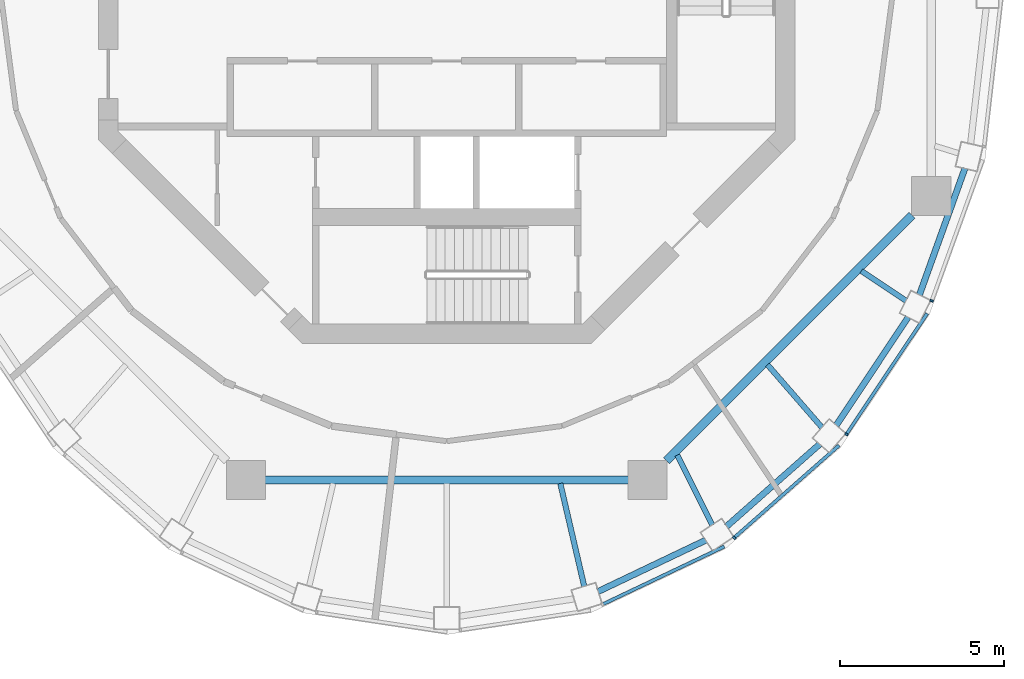
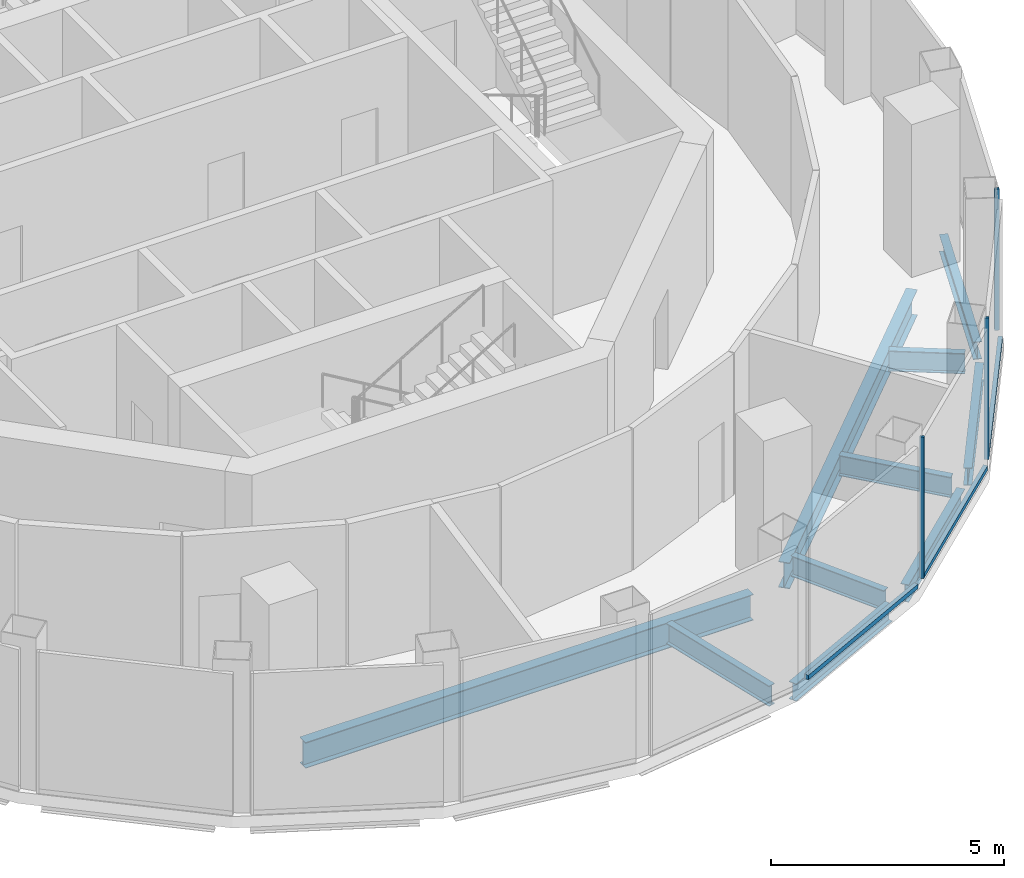
# One storey, part 3 of 11: 10 beams, 6 members, 4 elements without a shape of their own.
"""IFC4 building model written with IfcOpenShell, lengths in metres."""

import ifcopenshell
import ifcopenshell.guid

model = None  # the IFC model being written
_history = None  # IfcOwnerHistory: only IFC2X3 demands one
_inside = {}  # id of a spatial element -> (the spatial element, [elements in it])
_under = {}  # id of a project, library or spatial element -> (it, [spatial elements below it])
_declared = {}  # id of a project -> (the project, [libraries it declares])
_typed = {}  # id of a type object -> (the type object, [elements of that type])
_made_of = {}  # id of a material, layer set ... -> (it, [elements and type objects made of it])


def new_model(schema):
    """Start an empty IFC model of exactly this schema.

    Asked for "IFC4X3", IfcOpenShell would pick the latest addendum, in which some entities
    have other attributes; the version numbers below select the first issue.
    IFC2X3 requires an IfcOwnerHistory on every rooted entity: one is made here for all.
    """
    global model, _history
    if schema == "IFC4X3":
        model = ifcopenshell.file(schema_version=(4, 3, 0, 0))
    else:
        model = ifcopenshell.file(schema=schema)
    _inside.clear()
    _under.clear()
    _declared.clear()
    _typed.clear()
    _made_of.clear()
    _history = None
    if model.schema == "IFC2X3":
        org = make("IfcOrganization", Name="unknown")
        user = make(
            "IfcPersonAndOrganization",
            ThePerson=make("IfcPerson", FamilyName="unknown"),
            TheOrganization=org,
        )
        app = make(
            "IfcApplication",
            ApplicationDeveloper=org,
            Version="unknown",
            ApplicationFullName="unknown",
            ApplicationIdentifier="unknown",
        )
        _history = make(
            "IfcOwnerHistory",
            OwningUser=user,
            OwningApplication=app,
            ChangeAction="ADDED",
            CreationDate=0,
        )
    return model


def make(cls, **values):
    """One entity of the class cls with the attributes given. An attribute that is None is left unset."""
    return model.create_entity(
        cls, **{name: value for name, value in values.items() if value is not None}
    )


def rooted(cls, **values):
    """An entity with a GlobalId (a new one), such as an element, a storey or a relation."""
    return make(cls, GlobalId=ifcopenshell.guid.new(), OwnerHistory=_history, **values)


def si_unit(unit_type, name, prefix=None):
    """IfcSIUnit, for example si_unit("LENGTHUNIT", "METRE", prefix="MILLI")."""
    return make("IfcSIUnit", UnitType=unit_type, Prefix=prefix, Name=name)


def assignment(units):
    """IfcUnitAssignment: the units of a project."""
    return None if units is None else make("IfcUnitAssignment", Units=units)


def point(xyz):
    """IfcCartesianPoint."""
    return None if xyz is None else make("IfcCartesianPoint", Coordinates=xyz)


def direction(xyz):
    """IfcDirection."""
    return None if xyz is None else make("IfcDirection", DirectionRatios=xyz)


def frame(location, z_axis=None, x_axis=None):
    """IfcAxis2Placement3D, a coordinate frame: its origin and axes. An axis left out is left unset."""
    return make(
        "IfcAxis2Placement3D",
        Location=point(location),
        Axis=direction(z_axis),
        RefDirection=direction(x_axis),
    )


def frame_2d(location, x_axis=None):
    """IfcAxis2Placement2D, a coordinate frame in the plane: its origin and x axis."""
    return make(
        "IfcAxis2Placement2D", Location=point(location), RefDirection=direction(x_axis)
    )


def origin():
    """The frame at (0, 0, 0) with its axes left unset."""
    return frame((0.0, 0.0, 0.0))


def origin_2d():
    """The frame at (0, 0) in the plane with its x axis left unset."""
    return frame_2d((0.0, 0.0))


def place(relative_to, where):
    """IfcLocalPlacement: puts the frame where relative to a parent placement (None: the world)."""
    return make(
        "IfcLocalPlacement", PlacementRelTo=relative_to, RelativePlacement=where
    )


def context(
    kind, dimensions, precision=None, world=None, true_north=None, identifier=None
):
    """IfcGeometricRepresentationContext, for example the 3D "Model" context."""
    return make(
        "IfcGeometricRepresentationContext",
        ContextIdentifier=identifier,
        ContextType=kind,
        CoordinateSpaceDimension=dimensions,
        Precision=precision,
        WorldCoordinateSystem=world,
        TrueNorth=true_north,
    )


def subcontext(parent, identifier, kind, view, scale=None):
    """IfcGeometricRepresentationSubContext, for example "Body" below "Model"."""
    return make(
        "IfcGeometricRepresentationSubContext",
        ContextIdentifier=identifier,
        ContextType=kind,
        ParentContext=parent,
        TargetScale=scale,
        TargetView=view,
    )


def project(units=None, contexts=None):
    """IfcProject with its units and contexts."""
    return rooted(
        "IfcProject",
        Name="project",
        RepresentationContexts=contexts,
        UnitsInContext=assignment(units),
    )


def spatial(cls, under=None, at=None, **own):
    """A site, building, storey or space (cls), placed at a placement, below another one or the project."""
    s = rooted(cls, ObjectPlacement=at, **own)
    if under is not None:
        _under.setdefault(under.id(), (under, []))[1].append(s)
    return s


def profile(cls, at=None, kind="AREA", **sizes):
    """A parametric profile (cls). Its sizes go by their IFC names, for example OverallWidth=200.0."""
    return make(cls, ProfileType=kind, Position=at, **sizes)


def rectangle(**sizes):
    """IfcRectangleProfileDef."""
    return profile("IfcRectangleProfileDef", **sizes)


def i_section(**sizes):
    """IfcIShapeProfileDef."""
    return profile("IfcIShapeProfileDef", **sizes)


def extrude(swept, where, along, depth):
    """IfcExtrudedAreaSolid: the profile swept, set in the frame where, extruded along a direction by depth."""
    return make(
        "IfcExtrudedAreaSolid",
        SweptArea=swept,
        Position=where,
        ExtrudedDirection=direction(along),
        Depth=depth,
    )


def shape(context_of_items, identifier, shape_type, items):
    """IfcShapeRepresentation: the items that make up one representation, for example the "Body"."""
    return make(
        "IfcShapeRepresentation",
        ContextOfItems=context_of_items,
        RepresentationIdentifier=identifier,
        RepresentationType=shape_type,
        Items=items,
    )


def material(Name=None, Category=None):
    """IfcMaterial."""
    return make("IfcMaterial", Name=Name, Category=Category)


def layer(
    of_material, thickness, ventilated=None, Name=None, Category=None, Priority=None
):
    """IfcMaterialLayer: one layer of a wall or slab, of a material (None: an air gap)."""
    return make(
        "IfcMaterialLayer",
        Material=of_material,
        LayerThickness=thickness,
        IsVentilated=ventilated,
        Name=Name,
        Category=Category,
        Priority=Priority,
    )


def layer_set(layers, Name=None):
    """IfcMaterialLayerSet."""
    return make("IfcMaterialLayerSet", MaterialLayers=layers, LayerSetName=Name)


def material_profile(
    of_material, cross_section, Name=None, Category=None, Priority=None
):
    """IfcMaterialProfile: a cross section and its material."""
    return make(
        "IfcMaterialProfile",
        Name=Name,
        Material=of_material,
        Profile=cross_section,
        Priority=Priority,
        Category=Category,
    )


def profile_set(profiles, Name=None, composite=None):
    """IfcMaterialProfileSet."""
    return make(
        "IfcMaterialProfileSet",
        Name=Name,
        MaterialProfiles=profiles,
        CompositeProfile=composite,
    )


def made_of(thing, what):
    """Note that an element or type object is made of a material, layer set ...; save() writes the relation."""
    if what is not None:
        _made_of.setdefault(what.id(), (what, []))[1].append(thing)
    return thing


def type_object(cls, material=None, **own):
    """A type object (cls), such as IfcWallType, which elements share."""
    return made_of(rooted(cls, **own), material)


def element(
    cls,
    number,
    at=None,
    inside=None,
    cuts=None,
    type_object=None,
    material=None,
    context=None,
    identifier="Body",
    shape_type=None,
    held_by="IfcProductDefinitionShape",
    body=None,
    shapes=None,
    **own,
):
    """One element of the class cls, such as IfcWall. Its Tag is "e" and its number.

    at: its placement. inside: the storey or other place that contains it. cuts: it is an
    opening in that element (IfcRelVoidsElement). A single representation is given by context,
    identifier, shape_type and body (its items); several are given by shapes. held_by: the class
    of the entity that holds the representations. save() writes the other relations.
    """
    e = rooted(cls, Tag="e%d" % number, ObjectPlacement=at, **own)
    if body is not None:
        shapes = [shape(context, identifier, shape_type, body)]
    if shapes is not None:
        e.Representation = make(held_by, Representations=shapes)
    if inside is not None:
        _inside.setdefault(inside.id(), (inside, []))[1].append(e)
    if cuts is not None:
        rooted(
            "IfcRelVoidsElement", RelatingBuildingElement=cuts, RelatedOpeningElement=e
        )
    if type_object is not None:
        _typed.setdefault(type_object.id(), (type_object, []))[1].append(e)
    return made_of(e, material)


def aggregate(whole, parts):
    """IfcRelAggregates: a whole, such as a stair, and the parts it consists of."""
    return rooted("IfcRelAggregates", RelatingObject=whole, RelatedObjects=parts)


def save(model, path):
    """Write the relations noted so far, then the file.

    IfcRelAggregates (storeys below a building ...), IfcRelContainedInSpatialStructure (elements
    in a storey), IfcRelDefinesByType, IfcRelAssociatesMaterial and IfcRelDeclares: one each for
    every whole, place, type object, material and project.
    """
    for whole, parts in _under.values():
        aggregate(whole, parts)
    for where, things in _inside.values():
        rooted(
            "IfcRelContainedInSpatialStructure",
            RelatedElements=things,
            RelatingStructure=where,
        )
    for kind, things in _typed.values():
        rooted("IfcRelDefinesByType", RelatedObjects=things, RelatingType=kind)
    for what, things in _made_of.values():
        rooted("IfcRelAssociatesMaterial", RelatedObjects=things, RelatingMaterial=what)
    for by, libraries in _declared.values():
        rooted("IfcRelDeclares", RelatingContext=by, RelatedDefinitions=libraries)
    model.write(path)


model = new_model("IFC4")

# Units and contexts
model_context = context("Model", 3, precision=1e-05, world=origin(), true_north=direction((0.0, 1.0)))
body_context = subcontext(model_context, "Body", "Model", "MODEL_VIEW")
ifc_project = project(units=[si_unit("LENGTHUNIT", "METRE"), si_unit("AREAUNIT", "SQUARE_METRE"), si_unit("VOLUMEUNIT", "CUBIC_METRE"), si_unit("PLANEANGLEUNIT", "RADIAN"), si_unit("MASSUNIT", "GRAM", prefix="KILO")], contexts=[model_context])

# Site, building, storey
site_placement = place(None, origin())
site = spatial("IfcSite", under=ifc_project, at=site_placement, CompositionType="ELEMENT")
building_placement = place(site_placement, origin())
building = spatial("IfcBuilding", under=site, at=building_placement, Name="Nagisa Residences", CompositionType="ELEMENT")
storey_placement = place(building_placement, frame((0.0, 0.0, 332.89990234375)))
storey = spatial("IfcBuildingStorey", under=building, at=storey_placement, Name="L82", CompositionType="ELEMENT", Elevation=332.89990234375)

# Curtain wall, member
ifc_material_1 = material(Name="Aluminium curtain wall system", Category="aluminium")
ifc_layer = layer(ifc_material_1, 0.159912109375)
ifc_layer_set = layer_set([ifc_layer], Name="CW5 CURTAIN WALL")
curtain_wall_type = type_object("IfcCurtainWallType", Name="CW5 CURTAIN WALL", PredefinedType="NOTDEFINED", material=ifc_layer_set)
curtain_wall_1_placement = place(storey_placement, origin())
curtain_wall_1 = element("IfcCurtainWall", 1, at=curtain_wall_1_placement, inside=storey, type_object=curtain_wall_type, Name="cw:CW5:L82:20", PredefinedType="NOTDEFINED")
ifc_material_2 = material(Name="Aluminium", Category="aluminium")
ifc_material_profile_1 = material_profile(ifc_material_2, rectangle(XDim=0.10009765625, YDim=0.06005859375, at=origin_2d()), Name="CW5 MULLION 100x60")
ifc_profile_set_1 = profile_set([ifc_material_profile_1], Name="Aluminium")
member_type_1 = type_object("IfcMemberType", Name="CW5 MULLION 100x60", PredefinedType="MULLION", material=ifc_profile_set_1)
member_1_placement = place(storey_placement, frame((8.77001953125, -16.54345703125, 0.0), z_axis=(0.0, 0.0, 1.0), x_axis=(-0.660699467703, 0.750650526795, 0.0)))
member_1 = element("IfcMember", 2, at=member_1_placement, type_object=member_type_1, Name="CW5 mullion", PredefinedType="MULLION", context=body_context, shape_type="SweptSolid", body=[
    extrude(rectangle(XDim=0.10009765625, YDim=0.06005859375, at=origin_2d()), origin(), (0.0, 0.0, 1.0), 3.7001953125),
])

curtain_wall_2_placement = place(storey_placement, origin())
curtain_wall_2 = element("IfcCurtainWall", 3, at=curtain_wall_2_placement, inside=storey, type_object=curtain_wall_type, Name="cw:CW5:L82:21", PredefinedType="NOTDEFINED")
member_2_placement = place(storey_placement, frame((12.193359375, -13.38671875, 0.0), z_axis=(0.0, 0.0, 1.0), x_axis=(-0.831172662415, 0.556014393027, 0.0)))
member_2 = element("IfcMember", 4, at=member_2_placement, type_object=member_type_1, Name="CW5 mullion", PredefinedType="MULLION", context=body_context, shape_type="SweptSolid", body=[
    extrude(rectangle(XDim=0.10009765625, YDim=0.06005859375, at=origin_2d()), origin(), (0.0, 0.0, 1.0), 3.7001953125),
])

curtain_wall_3_placement = place(storey_placement, origin())
curtain_wall_3 = element("IfcCurtainWall", 5, at=curtain_wall_3_placement, inside=storey, type_object=curtain_wall_type, Name="cw:CW5:L82:22", PredefinedType="NOTDEFINED")
member_3_placement = place(storey_placement, frame((14.793212890625, -9.318359375, 0.0), z_axis=(0.0, 0.0, 1.0), x_axis=(-0.940554456033, 0.339642923136, 0.0)))
member_3 = element("IfcMember", 6, at=member_3_placement, type_object=member_type_1, Name="CW5 mullion", PredefinedType="MULLION", context=body_context, shape_type="SweptSolid", body=[
    extrude(rectangle(XDim=0.10009765625, YDim=0.06005859375, at=origin_2d()), origin(), (0.0, 0.0, 1.0), 3.7001953125),
])
aggregate(curtain_wall_3, [member_3])

curtain_wall_4_placement = place(storey_placement, origin())
curtain_wall_4 = element("IfcCurtainWall", 7, at=curtain_wall_4_placement, inside=storey, type_object=curtain_wall_type, Name="cw:CW5:L82:19", PredefinedType="NOTDEFINED")
ifc_material_3 = material(Name="Aluminium", Category="aluminium")
ifc_material_profile_2 = material_profile(ifc_material_3, rectangle(XDim=0.10009765625, YDim=0.1201171875, at=origin_2d()), Name="CW5 TRANSOM 100x120")
ifc_profile_set_2 = profile_set([ifc_material_profile_2], Name="Aluminium")
member_type_2 = type_object("IfcMemberType", Name="CW5 TRANSOM 100x120", PredefinedType="USERDEFINED", material=ifc_profile_set_2)
member_4_placement = place(storey_placement, frame((4.726806640625, -18.591552734375, 0.06005859375), z_axis=(0.903235211694, 0.429145840426, 0.0), x_axis=(-0.429145840426, 0.903235211694, 0.0)))
member_4 = element("IfcMember", 8, at=member_4_placement, type_object=member_type_2, Name="CW5 transom", ObjectType="TRANSOM", PredefinedType="USERDEFINED", context=body_context, shape_type="SweptSolid", body=[
    extrude(rectangle(XDim=0.10009765625, YDim=0.1201171875, at=origin_2d()), origin(), (0.0, 0.0, 1.0), 4.139404296875),
])
aggregate(curtain_wall_4, [member_4])

# Member
member_5_placement = place(storey_placement, frame((8.747314453125, -16.563232421875, 0.06005859375), z_axis=(0.750655944686, 0.66069331214, 0.0), x_axis=(-0.66069331214, 0.750655944686, 0.0)))
member_5 = element("IfcMember", 9, at=member_5_placement, type_object=member_type_2, Name="CW5 transom", ObjectType="TRANSOM", PredefinedType="USERDEFINED", context=body_context, shape_type="SweptSolid", body=[
    extrude(rectangle(XDim=0.10009765625, YDim=0.1201171875, at=origin_2d()), origin(), (0.0, 0.0, 1.0), 4.29052734375),
])

aggregate(curtain_wall_1, [member_1, member_5])

member_6_placement = place(storey_placement, frame((12.1767578125, -13.41162109375, 0.06005859375), z_axis=(0.556026221044, 0.831164749921, 0.0), x_axis=(-0.831164749921, 0.556026221044, 0.0)))
member_6 = element("IfcMember", 10, at=member_6_placement, type_object=member_type_2, Name="CW5 transom", ObjectType="TRANSOM", PredefinedType="USERDEFINED", context=body_context, shape_type="SweptSolid", body=[
    extrude(rectangle(XDim=0.10009765625, YDim=0.1201171875, at=origin_2d()), origin(), (0.0, 0.0, 1.0), 4.458984375),
])

aggregate(curtain_wall_2, [member_2, member_6])

# Beams
ifc_material_4 = material(Name="Steel ASTM A572 Gr 50", Category="steel")
ifc_material_profile_3 = material_profile(ifc_material_4, i_section(OverallWidth=0.2529296875, OverallDepth=0.677978515625, WebThickness=0.01171875, FlangeThickness=0.016357421875, at=origin_2d()), Name="W690x125")
ifc_profile_set_3 = profile_set([ifc_material_profile_3], Name="Steel ASTM A572 Gr 50")
beam_type_1 = type_object("IfcBeamType", Name="Inner ring beam W690x125", PredefinedType="BEAM", material=ifc_profile_set_3)
beam_1_placement = place(storey_placement, frame((-5.54296875, -14.781982421875, -0.638916015625), z_axis=(1.0, 0.0, 0.0), x_axis=(0.0, 1.0, 0.0)))
element("IfcBeam", 11, at=beam_1_placement, inside=storey, type_object=beam_type_1, Name="beam:L82:ib6", PredefinedType="BEAM", context=body_context, shape_type="SweptSolid", body=[
    extrude(i_section(OverallWidth=0.2529296875, OverallDepth=0.677978515625, WebThickness=0.01171875, FlangeThickness=0.016357421875, at=origin_2d()), origin(), (0.0, 0.0, 1.0), 11.0859375),
])
beam_2_placement = place(storey_placement, frame((6.708740234375, -14.1962890625, -0.638916015625), z_axis=(0.707106781187, 0.707106781187, 0.0), x_axis=(-0.707106781187, 0.707106781187, 0.0)))
element("IfcBeam", 12, at=beam_2_placement, inside=storey, type_object=beam_type_1, Name="beam:L82:ib7", PredefinedType="BEAM", context=body_context, shape_type="SweptSolid", body=[
    extrude(i_section(OverallWidth=0.2529296875, OverallDepth=0.677978515625, WebThickness=0.01171875, FlangeThickness=0.016357421875, at=origin_2d()), origin(), (0.0, 0.0, 1.0), 10.589111328125),
])
ifc_material_5 = material(Name="Steel ASTM A572 Gr 50", Category="steel")
ifc_material_profile_4 = material_profile(ifc_material_5, i_section(OverallWidth=0.18994140625, OverallDepth=0.45703125, WebThickness=0.009033203125, FlangeThickness=0.014404296875, at=origin_2d()), Name="W460x74")
ifc_profile_set_4 = profile_set([ifc_material_profile_4], Name="Steel ASTM A572 Gr 50")
beam_type_2 = type_object("IfcBeamType", Name="Perimeter ring beam W460x74", PredefinedType="BEAM", material=ifc_profile_set_4)
beam_3_placement = place(storey_placement, frame((4.617431640625, -18.18701171875, -0.5283203125), z_axis=(0.902613702305, 0.430451512266, 0.0), x_axis=(-0.430451512266, 0.902613702305, 0.0)))
element("IfcBeam", 13, at=beam_3_placement, inside=storey, type_object=beam_type_2, Name="beam:L82:pb20", PredefinedType="BEAM", context=body_context, shape_type="SweptSolid", body=[
    extrude(i_section(OverallWidth=0.18994140625, OverallDepth=0.45703125, WebThickness=0.009033203125, FlangeThickness=0.014404296875, at=origin_2d()), origin(), (0.0, 0.0, 1.0), 3.640625),
])
beam_4_placement = place(storey_placement, frame((8.53759765625, -16.2001953125, -0.5283203125), z_axis=(0.749401876552, 0.662115418503, 0.0), x_axis=(-0.662115418503, 0.749401876552, 0.0)))
element("IfcBeam", 14, at=beam_4_placement, inside=storey, type_object=beam_type_2, Name="beam:L82:pb21", PredefinedType="BEAM", context=body_context, shape_type="SweptSolid", body=[
    extrude(i_section(OverallWidth=0.18994140625, OverallDepth=0.45703125, WebThickness=0.009033203125, FlangeThickness=0.014404296875, at=origin_2d()), origin(), (0.0, 0.0, 1.0), 3.792724609375),
])
beam_5_placement = place(storey_placement, frame((11.8798828125, -13.115966796875, -0.5283203125), z_axis=(0.554529560082, 0.832164026497, 0.0), x_axis=(-0.832164026497, 0.554529560082, 0.0)))
element("IfcBeam", 15, at=beam_5_placement, inside=storey, type_object=beam_type_2, Name="beam:L82:pb22", PredefinedType="BEAM", context=body_context, shape_type="SweptSolid", body=[
    extrude(i_section(OverallWidth=0.18994140625, OverallDepth=0.45703125, WebThickness=0.009033203125, FlangeThickness=0.014404296875, at=origin_2d()), origin(), (0.0, 0.0, 1.0), 3.96240234375),
])
beam_6_placement = place(storey_placement, frame((14.4189453125, -9.1396484375, -0.5283203125), z_axis=(0.338517252251, 0.940960185092, 0.0), x_axis=(-0.940960185092, 0.338517252251, 0.0)))
element("IfcBeam", 16, at=beam_6_placement, inside=storey, type_object=beam_type_2, Name="beam:L82:pb23", PredefinedType="BEAM", context=body_context, shape_type="SweptSolid", body=[
    extrude(i_section(OverallWidth=0.18994140625, OverallDepth=0.45703125, WebThickness=0.009033203125, FlangeThickness=0.014404296875, at=origin_2d()), origin(), (0.0, 0.0, 1.0), 4.1044921875),
])
ifc_material_6 = material(Name="Steel ASTM A572 Gr 50", Category="steel")
ifc_material_profile_5 = material_profile(ifc_material_6, i_section(OverallWidth=0.166015625, OverallDepth=0.534912109375, WebThickness=0.01025390625, FlangeThickness=0.0166015625, at=origin_2d()), Name="W530x85")
ifc_profile_set_5 = profile_set([ifc_material_profile_5], Name="Steel ASTM A572 Gr 50")
beam_type_3 = type_object("IfcBeamType", Name="Radial beam W530x85", PredefinedType="BEAM", material=ifc_profile_set_5)
beam_7_placement = place(storey_placement, frame((4.195556640625, -18.0302734375, -0.5673828125), z_axis=(-0.226650446588, 0.973976167604, 0.0), x_axis=(-0.973976167604, -0.226650446588, 0.0)))
element("IfcBeam", 17, at=beam_7_placement, inside=storey, type_object=beam_type_3, Name="beam:L82:rb20", PredefinedType="BEAM", context=body_context, shape_type="SweptSolid", body=[
    extrude(i_section(OverallWidth=0.166015625, OverallDepth=0.534912109375, WebThickness=0.01025390625, FlangeThickness=0.0166015625, at=origin_2d()), origin(), (0.0, 0.0, 1.0), 3.22509765625),
])
beam_8_placement = place(storey_placement, frame((8.10107421875, -16.1572265625, -0.5673828125), z_axis=(-0.448236908276, 0.893914802461, 0.0), x_axis=(-0.893914802461, -0.448236908276, 0.0)))
element("IfcBeam", 18, at=beam_8_placement, inside=storey, type_object=beam_type_3, Name="beam:L82:rb21", PredefinedType="BEAM", context=body_context, shape_type="SweptSolid", body=[
    extrude(i_section(OverallWidth=0.166015625, OverallDepth=0.534912109375, WebThickness=0.01025390625, FlangeThickness=0.0166015625, at=origin_2d()), origin(), (0.0, 0.0, 1.0), 2.385009765625),
])
beam_9_placement = place(storey_placement, frame((11.44873046875, -13.183349609375, -0.5673828125), z_axis=(-0.655718438616, 0.755005516045, 0.0), x_axis=(-0.755005516045, -0.655718438616, 0.0)))
element("IfcBeam", 19, at=beam_9_placement, inside=storey, type_object=beam_type_3, Name="beam:L82:rb22", PredefinedType="BEAM", context=body_context, shape_type="SweptSolid", body=[
    extrude(i_section(OverallWidth=0.166015625, OverallDepth=0.534912109375, WebThickness=0.01025390625, FlangeThickness=0.0166015625, at=origin_2d()), origin(), (0.0, 0.0, 1.0), 2.53515625),
])
beam_10_placement = place(storey_placement, frame((14.012451171875, -9.31591796875, -0.5673828125), z_axis=(-0.832714310154, 0.553702878505, 0.0), x_axis=(-0.553702878505, -0.832714310154, 0.0)))
element("IfcBeam", 20, at=beam_10_placement, inside=storey, type_object=beam_type_3, Name="beam:L82:rb23", PredefinedType="BEAM", context=body_context, shape_type="SweptSolid", body=[
    extrude(i_section(OverallWidth=0.166015625, OverallDepth=0.534912109375, WebThickness=0.01025390625, FlangeThickness=0.0166015625, at=origin_2d()), origin(), (0.0, 0.0, 1.0), 1.638916015625),
])

save(model, "model.ifc")
